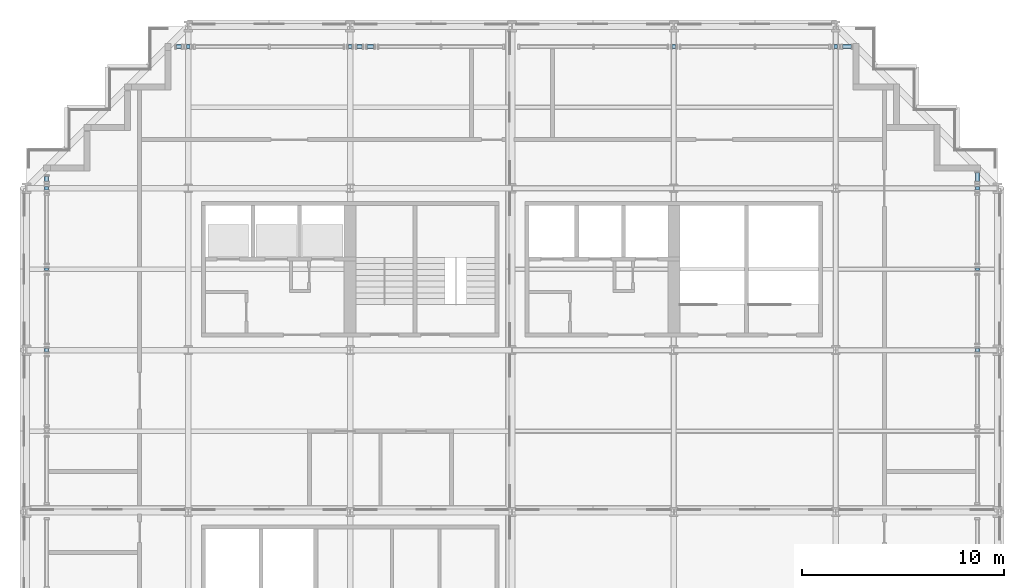
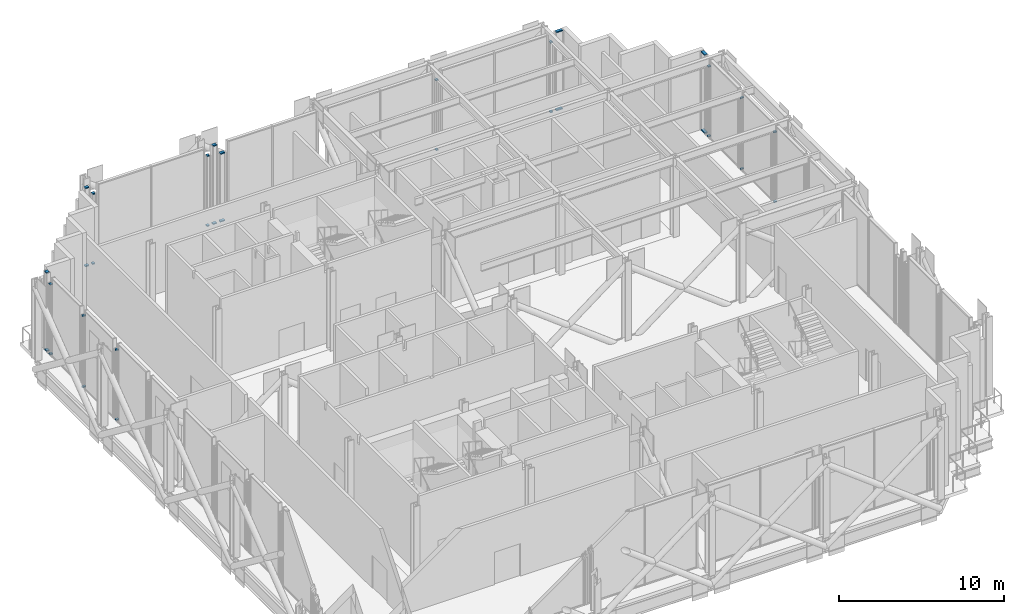
# One storey, part 10 of 25: 32 members, 16 elements without a shape of their own.
"""IFC4 building model written with IfcOpenShell, lengths in metres."""

import ifcopenshell
import ifcopenshell.guid

model = None  # the IFC model being written
_history = None  # IfcOwnerHistory: only IFC2X3 demands one
_inside = {}  # id of a spatial element -> (the spatial element, [elements in it])
_under = {}  # id of a project, library or spatial element -> (it, [spatial elements below it])
_declared = {}  # id of a project -> (the project, [libraries it declares])
_typed = {}  # id of a type object -> (the type object, [elements of that type])
_made_of = {}  # id of a material, layer set ... -> (it, [elements and type objects made of it])


def new_model(schema):
    """Start an empty IFC model of exactly this schema.

    Asked for "IFC4X3", IfcOpenShell would pick the latest addendum, in which some entities
    have other attributes; the version numbers below select the first issue.
    IFC2X3 requires an IfcOwnerHistory on every rooted entity: one is made here for all.
    """
    global model, _history
    if schema == "IFC4X3":
        model = ifcopenshell.file(schema_version=(4, 3, 0, 0))
    else:
        model = ifcopenshell.file(schema=schema)
    _inside.clear()
    _under.clear()
    _declared.clear()
    _typed.clear()
    _made_of.clear()
    _history = None
    if model.schema == "IFC2X3":
        org = make("IfcOrganization", Name="unknown")
        user = make(
            "IfcPersonAndOrganization",
            ThePerson=make("IfcPerson", FamilyName="unknown"),
            TheOrganization=org,
        )
        app = make(
            "IfcApplication",
            ApplicationDeveloper=org,
            Version="unknown",
            ApplicationFullName="unknown",
            ApplicationIdentifier="unknown",
        )
        _history = make(
            "IfcOwnerHistory",
            OwningUser=user,
            OwningApplication=app,
            ChangeAction="ADDED",
            CreationDate=0,
        )
    return model


def make(cls, **values):
    """One entity of the class cls with the attributes given. An attribute that is None is left unset."""
    return model.create_entity(
        cls, **{name: value for name, value in values.items() if value is not None}
    )


def rooted(cls, **values):
    """An entity with a GlobalId (a new one), such as an element, a storey or a relation."""
    return make(cls, GlobalId=ifcopenshell.guid.new(), OwnerHistory=_history, **values)


def si_unit(unit_type, name, prefix=None):
    """IfcSIUnit, for example si_unit("LENGTHUNIT", "METRE", prefix="MILLI")."""
    return make("IfcSIUnit", UnitType=unit_type, Prefix=prefix, Name=name)


def assignment(units):
    """IfcUnitAssignment: the units of a project."""
    return None if units is None else make("IfcUnitAssignment", Units=units)


def point(xyz):
    """IfcCartesianPoint."""
    return None if xyz is None else make("IfcCartesianPoint", Coordinates=xyz)


def direction(xyz):
    """IfcDirection."""
    return None if xyz is None else make("IfcDirection", DirectionRatios=xyz)


def frame(location, z_axis=None, x_axis=None):
    """IfcAxis2Placement3D, a coordinate frame: its origin and axes. An axis left out is left unset."""
    return make(
        "IfcAxis2Placement3D",
        Location=point(location),
        Axis=direction(z_axis),
        RefDirection=direction(x_axis),
    )


def frame_2d(location, x_axis=None):
    """IfcAxis2Placement2D, a coordinate frame in the plane: its origin and x axis."""
    return make(
        "IfcAxis2Placement2D", Location=point(location), RefDirection=direction(x_axis)
    )


def origin():
    """The frame at (0, 0, 0) with its axes left unset."""
    return frame((0.0, 0.0, 0.0))


def origin_2d():
    """The frame at (0, 0) in the plane with its x axis left unset."""
    return frame_2d((0.0, 0.0))


def place(relative_to, where):
    """IfcLocalPlacement: puts the frame where relative to a parent placement (None: the world)."""
    return make(
        "IfcLocalPlacement", PlacementRelTo=relative_to, RelativePlacement=where
    )


def context(
    kind, dimensions, precision=None, world=None, true_north=None, identifier=None
):
    """IfcGeometricRepresentationContext, for example the 3D "Model" context."""
    return make(
        "IfcGeometricRepresentationContext",
        ContextIdentifier=identifier,
        ContextType=kind,
        CoordinateSpaceDimension=dimensions,
        Precision=precision,
        WorldCoordinateSystem=world,
        TrueNorth=true_north,
    )


def subcontext(parent, identifier, kind, view, scale=None):
    """IfcGeometricRepresentationSubContext, for example "Body" below "Model"."""
    return make(
        "IfcGeometricRepresentationSubContext",
        ContextIdentifier=identifier,
        ContextType=kind,
        ParentContext=parent,
        TargetScale=scale,
        TargetView=view,
    )


def project(units=None, contexts=None):
    """IfcProject with its units and contexts."""
    return rooted(
        "IfcProject",
        Name="project",
        RepresentationContexts=contexts,
        UnitsInContext=assignment(units),
    )


def spatial(cls, under=None, at=None, **own):
    """A site, building, storey or space (cls), placed at a placement, below another one or the project."""
    s = rooted(cls, ObjectPlacement=at, **own)
    if under is not None:
        _under.setdefault(under.id(), (under, []))[1].append(s)
    return s


def profile(cls, at=None, kind="AREA", **sizes):
    """A parametric profile (cls). Its sizes go by their IFC names, for example OverallWidth=200.0."""
    return make(cls, ProfileType=kind, Position=at, **sizes)


def rectangle(**sizes):
    """IfcRectangleProfileDef."""
    return profile("IfcRectangleProfileDef", **sizes)


def extrude(swept, where, along, depth):
    """IfcExtrudedAreaSolid: the profile swept, set in the frame where, extruded along a direction by depth."""
    return make(
        "IfcExtrudedAreaSolid",
        SweptArea=swept,
        Position=where,
        ExtrudedDirection=direction(along),
        Depth=depth,
    )


def shape(context_of_items, identifier, shape_type, items):
    """IfcShapeRepresentation: the items that make up one representation, for example the "Body"."""
    return make(
        "IfcShapeRepresentation",
        ContextOfItems=context_of_items,
        RepresentationIdentifier=identifier,
        RepresentationType=shape_type,
        Items=items,
    )


def material(Name=None, Category=None):
    """IfcMaterial."""
    return make("IfcMaterial", Name=Name, Category=Category)


def material_profile(
    of_material, cross_section, Name=None, Category=None, Priority=None
):
    """IfcMaterialProfile: a cross section and its material."""
    return make(
        "IfcMaterialProfile",
        Name=Name,
        Material=of_material,
        Profile=cross_section,
        Priority=Priority,
        Category=Category,
    )


def profile_set(profiles, Name=None, composite=None):
    """IfcMaterialProfileSet."""
    return make(
        "IfcMaterialProfileSet",
        Name=Name,
        MaterialProfiles=profiles,
        CompositeProfile=composite,
    )


def made_of(thing, what):
    """Note that an element or type object is made of a material, layer set ...; save() writes the relation."""
    if what is not None:
        _made_of.setdefault(what.id(), (what, []))[1].append(thing)
    return thing


def type_object(cls, material=None, **own):
    """A type object (cls), such as IfcWallType, which elements share."""
    return made_of(rooted(cls, **own), material)


def element(
    cls,
    number,
    at=None,
    inside=None,
    cuts=None,
    type_object=None,
    material=None,
    context=None,
    identifier="Body",
    shape_type=None,
    held_by="IfcProductDefinitionShape",
    body=None,
    shapes=None,
    **own,
):
    """One element of the class cls, such as IfcWall. Its Tag is "e" and its number.

    at: its placement. inside: the storey or other place that contains it. cuts: it is an
    opening in that element (IfcRelVoidsElement). A single representation is given by context,
    identifier, shape_type and body (its items); several are given by shapes. held_by: the class
    of the entity that holds the representations. save() writes the other relations.
    """
    e = rooted(cls, Tag="e%d" % number, ObjectPlacement=at, **own)
    if body is not None:
        shapes = [shape(context, identifier, shape_type, body)]
    if shapes is not None:
        e.Representation = make(held_by, Representations=shapes)
    if inside is not None:
        _inside.setdefault(inside.id(), (inside, []))[1].append(e)
    if cuts is not None:
        rooted(
            "IfcRelVoidsElement", RelatingBuildingElement=cuts, RelatedOpeningElement=e
        )
    if type_object is not None:
        _typed.setdefault(type_object.id(), (type_object, []))[1].append(e)
    return made_of(e, material)


def aggregate(whole, parts):
    """IfcRelAggregates: a whole, such as a stair, and the parts it consists of."""
    return rooted("IfcRelAggregates", RelatingObject=whole, RelatedObjects=parts)


def save(model, path):
    """Write the relations noted so far, then the file.

    IfcRelAggregates (storeys below a building ...), IfcRelContainedInSpatialStructure (elements
    in a storey), IfcRelDefinesByType, IfcRelAssociatesMaterial and IfcRelDeclares: one each for
    every whole, place, type object, material and project.
    """
    for whole, parts in _under.values():
        aggregate(whole, parts)
    for where, things in _inside.values():
        rooted(
            "IfcRelContainedInSpatialStructure",
            RelatedElements=things,
            RelatingStructure=where,
        )
    for kind, things in _typed.values():
        rooted("IfcRelDefinesByType", RelatedObjects=things, RelatingType=kind)
    for what, things in _made_of.values():
        rooted("IfcRelAssociatesMaterial", RelatedObjects=things, RelatingMaterial=what)
    for by, libraries in _declared.values():
        rooted("IfcRelDeclares", RelatingContext=by, RelatedDefinitions=libraries)
    model.write(path)


model = new_model("IFC4")

# Units and contexts
model_context = context("Model", 3, precision=1e-05, world=origin(), true_north=direction((0.0, 1.0)))
body_context = subcontext(model_context, "Body", "Model", "MODEL_VIEW")
ifc_project = project(units=[si_unit("LENGTHUNIT", "METRE"), si_unit("AREAUNIT", "SQUARE_METRE"), si_unit("VOLUMEUNIT", "CUBIC_METRE"), si_unit("PLANEANGLEUNIT", "RADIAN"), si_unit("MASSUNIT", "GRAM", prefix="KILO")], contexts=[model_context])

# Site, building, storey
site_placement = place(None, origin())
site = spatial("IfcSite", under=ifc_project, at=site_placement, CompositionType="ELEMENT")
building_placement = place(site_placement, origin())
building = spatial("IfcBuilding", under=site, at=building_placement, Name="Immortelle Media Tower", CompositionType="ELEMENT")
storey_placement = place(building_placement, frame((0.0, 0.0, 114.0)))
storey = spatial("IfcBuildingStorey", under=building, at=storey_placement, Name="L22", CompositionType="ELEMENT", Elevation=114.0)

# Curtain wall, members
ifc_material_1 = material(Name="Aluminium curtain wall system", Category="aluminium")
curtain_wall_type = type_object("IfcCurtainWallType", Name="Plant louvre wall curtain wall", PredefinedType="NOTDEFINED", material=ifc_material_1)
curtain_wall_1_placement = place(storey_placement, origin())
curtain_wall_1 = element("IfcCurtainWall", 1, at=curtain_wall_1_placement, inside=storey, type_object=curtain_wall_type, Name="Plant louvre wall L22 E 14-14", PredefinedType="NOTDEFINED")
ifc_material_2 = material(Name="Aluminium 6063-T6", Category="aluminium")
ifc_material_profile = material_profile(ifc_material_2, rectangle(XDim=0.199951171875, YDim=0.080078125, at=origin_2d()), Name="AL 80x200")
ifc_profile_set = profile_set([ifc_material_profile], Name="Aluminium 6063-T6")
member_type = type_object("IfcMemberType", Name="Plant louvre wall transom 80 x 200", PredefinedType="USERDEFINED", material=ifc_profile_set)
member_1_placement = place(storey_placement, frame((47.0, 31.91552734375, 0.0400390625), z_axis=(0.0, 1.0, 0.0), x_axis=(-1.0, 0.0, 0.0)))
member_1 = element("IfcMember", 2, at=member_1_placement, type_object=member_type, Name="CW6 transom 1.1", ObjectType="TRANSOM", PredefinedType="USERDEFINED", context=body_context, shape_type="SweptSolid", body=[
    extrude(rectangle(XDim=0.199951171875, YDim=0.080078125, at=origin_2d()), origin(), (0.0, 0.0, 1.0), 0.1689453125),
])
member_2_placement = place(storey_placement, frame((47.0, 31.91552734375, 5.197509765625), z_axis=(0.0, 1.0, 0.0), x_axis=(-1.0, 0.0, 0.0)))
member_2 = element("IfcMember", 3, at=member_2_placement, type_object=member_type, Name="CW6 transom 1.2", ObjectType="TRANSOM", PredefinedType="USERDEFINED", context=body_context, shape_type="SweptSolid", body=[
    extrude(rectangle(XDim=0.199951171875, YDim=0.080078125, at=origin_2d()), origin(), (0.0, 0.0, 1.0), 0.1689453125),
])
aggregate(curtain_wall_1, [member_1, member_2])

curtain_wall_2_placement = place(storey_placement, origin())
curtain_wall_2 = element("IfcCurtainWall", 4, at=curtain_wall_2_placement, inside=storey, type_object=curtain_wall_type, Name="Plant louvre wall L22 E 14-16", PredefinedType="NOTDEFINED")
member_3_placement = place(storey_placement, frame((47.0, 35.947509765625, 0.0400390625), z_axis=(0.0, 1.0, 0.0), x_axis=(-1.0, 0.0, 0.0)))
member_3 = element("IfcMember", 5, at=member_3_placement, type_object=member_type, Name="CW6 transom 1.1", ObjectType="TRANSOM", PredefinedType="USERDEFINED", context=body_context, shape_type="SweptSolid", body=[
    extrude(rectangle(XDim=0.199951171875, YDim=0.080078125, at=origin_2d()), origin(), (0.0, 0.0, 1.0), 0.10498046875),
])
member_4_placement = place(storey_placement, frame((47.0, 35.947509765625, 5.283447265625), z_axis=(0.0, 1.0, 0.0), x_axis=(-1.0, 0.0, 0.0)))
member_4 = element("IfcMember", 6, at=member_4_placement, type_object=member_type, Name="CW6 transom 1.2", ObjectType="TRANSOM", PredefinedType="USERDEFINED", context=body_context, shape_type="SweptSolid", body=[
    extrude(rectangle(XDim=0.199951171875, YDim=0.080078125, at=origin_2d()), origin(), (0.0, 0.0, 1.0), 0.10498046875),
])
aggregate(curtain_wall_2, [member_3, member_4])

curtain_wall_3_placement = place(storey_placement, origin())
curtain_wall_3 = element("IfcCurtainWall", 7, at=curtain_wall_3_placement, inside=storey, type_object=curtain_wall_type, Name="Plant louvre wall L22 E 14-18", PredefinedType="NOTDEFINED")
member_5_placement = place(storey_placement, frame((47.0, 39.91552734375, 0.0400390625), z_axis=(0.0, 1.0, 0.0), x_axis=(-1.0, 0.0, 0.0)))
member_5 = element("IfcMember", 8, at=member_5_placement, type_object=member_type, Name="CW6 transom 1.1", ObjectType="TRANSOM", PredefinedType="USERDEFINED", context=body_context, shape_type="SweptSolid", body=[
    extrude(rectangle(XDim=0.199951171875, YDim=0.080078125, at=origin_2d()), origin(), (0.0, 0.0, 1.0), 0.1689453125),
])
member_6_placement = place(storey_placement, frame((47.0, 39.91552734375, 5.197509765625), z_axis=(0.0, 1.0, 0.0), x_axis=(-1.0, 0.0, 0.0)))
member_6 = element("IfcMember", 9, at=member_6_placement, type_object=member_type, Name="CW6 transom 1.2", ObjectType="TRANSOM", PredefinedType="USERDEFINED", context=body_context, shape_type="SweptSolid", body=[
    extrude(rectangle(XDim=0.199951171875, YDim=0.080078125, at=origin_2d()), origin(), (0.0, 0.0, 1.0), 0.1689453125),
])
aggregate(curtain_wall_3, [member_5, member_6])

curtain_wall_4_placement = place(storey_placement, origin())
curtain_wall_4 = element("IfcCurtainWall", 10, at=curtain_wall_4_placement, inside=storey, type_object=curtain_wall_type, Name="Plant louvre wall L22 E 14-19", PredefinedType="NOTDEFINED")
member_7_placement = place(storey_placement, frame((47.0, 40.33447265625, 0.0400390625), z_axis=(0.0, 1.0, 0.0), x_axis=(-1.0, 0.0, 0.0)))
member_7 = element("IfcMember", 11, at=member_7_placement, type_object=member_type, Name="CW6 transom 1.1", ObjectType="TRANSOM", PredefinedType="USERDEFINED", context=body_context, shape_type="SweptSolid", body=[
    extrude(rectangle(XDim=0.199951171875, YDim=0.080078125, at=origin_2d()), origin(), (0.0, 0.0, 1.0), 0.435546875),
])
member_8_placement = place(storey_placement, frame((47.0, 40.33447265625, 5.8095703125), z_axis=(0.0, 1.0, 0.0), x_axis=(-1.0, 0.0, 0.0)))
member_8 = element("IfcMember", 12, at=member_8_placement, type_object=member_type, Name="CW6 transom 1.2", ObjectType="TRANSOM", PredefinedType="USERDEFINED", context=body_context, shape_type="SweptSolid", body=[
    extrude(rectangle(XDim=0.199951171875, YDim=0.080078125, at=origin_2d()), origin(), (0.0, 0.0, 1.0), 0.435546875),
])
aggregate(curtain_wall_4, [member_7, member_8])

curtain_wall_5_placement = place(storey_placement, origin())
curtain_wall_5 = element("IfcCurtainWall", 13, at=curtain_wall_5_placement, inside=storey, type_object=curtain_wall_type, Name="Plant louvre wall L22 N 21-1", PredefinedType="NOTDEFINED")
member_9_placement = place(storey_placement, frame((40.77001953125, 47.0, 0.0400390625), z_axis=(-1.0, 0.0, 0.0), x_axis=(0.0, -1.0, 0.0)))
member_9 = element("IfcMember", 14, at=member_9_placement, type_object=member_type, Name="CW6 transom 1.1", ObjectType="TRANSOM", PredefinedType="USERDEFINED", context=body_context, shape_type="SweptSolid", body=[
    extrude(rectangle(XDim=0.199951171875, YDim=0.080078125, at=origin_2d()), origin(), (0.0, 0.0, 1.0), 0.435546875),
])
member_10_placement = place(storey_placement, frame((40.77001953125, 47.0, 5.8095703125), z_axis=(-1.0, 0.0, 0.0), x_axis=(0.0, -1.0, 0.0)))
member_10 = element("IfcMember", 15, at=member_10_placement, type_object=member_type, Name="CW6 transom 1.2", ObjectType="TRANSOM", PredefinedType="USERDEFINED", context=body_context, shape_type="SweptSolid", body=[
    extrude(rectangle(XDim=0.199951171875, YDim=0.080078125, at=origin_2d()), origin(), (0.0, 0.0, 1.0), 0.435546875),
])
aggregate(curtain_wall_5, [member_9, member_10])

curtain_wall_6_placement = place(storey_placement, origin())
curtain_wall_6 = element("IfcCurtainWall", 16, at=curtain_wall_6_placement, inside=storey, type_object=curtain_wall_type, Name="Plant louvre wall L22 N 21-2", PredefinedType="NOTDEFINED")
member_11_placement = place(storey_placement, frame((40.08447265625, 47.0, 0.0400390625), z_axis=(-1.0, 0.0, 0.0), x_axis=(0.0, -1.0, 0.0)))
member_11 = element("IfcMember", 17, at=member_11_placement, type_object=member_type, Name="CW6 transom 1.1", ObjectType="TRANSOM", PredefinedType="USERDEFINED", context=body_context, shape_type="SweptSolid", body=[
    extrude(rectangle(XDim=0.199951171875, YDim=0.080078125, at=origin_2d()), origin(), (0.0, 0.0, 1.0), 0.1689453125),
])
member_12_placement = place(storey_placement, frame((40.08447265625, 47.0, 5.197509765625), z_axis=(-1.0, 0.0, 0.0), x_axis=(0.0, -1.0, 0.0)))
member_12 = element("IfcMember", 18, at=member_12_placement, type_object=member_type, Name="CW6 transom 1.2", ObjectType="TRANSOM", PredefinedType="USERDEFINED", context=body_context, shape_type="SweptSolid", body=[
    extrude(rectangle(XDim=0.199951171875, YDim=0.080078125, at=origin_2d()), origin(), (0.0, 0.0, 1.0), 0.1689453125),
])
aggregate(curtain_wall_6, [member_11, member_12])

curtain_wall_7_placement = place(storey_placement, origin())
curtain_wall_7 = element("IfcCurtainWall", 19, at=curtain_wall_7_placement, inside=storey, type_object=curtain_wall_type, Name="Plant louvre wall L22 N 21-4", PredefinedType="NOTDEFINED")
member_13_placement = place(storey_placement, frame((32.08447265625, 47.0, 0.0400390625), z_axis=(-1.0, 0.0, 0.0), x_axis=(0.0, -1.0, 0.0)))
member_13 = element("IfcMember", 20, at=member_13_placement, type_object=member_type, Name="CW6 transom 1.1", ObjectType="TRANSOM", PredefinedType="USERDEFINED", context=body_context, shape_type="SweptSolid", body=[
    extrude(rectangle(XDim=0.199951171875, YDim=0.080078125, at=origin_2d()), origin(), (0.0, 0.0, 1.0), 0.1689453125),
])
member_14_placement = place(storey_placement, frame((32.08447265625, 47.0, 5.197509765625), z_axis=(-1.0, 0.0, 0.0), x_axis=(0.0, -1.0, 0.0)))
member_14 = element("IfcMember", 21, at=member_14_placement, type_object=member_type, Name="CW6 transom 1.2", ObjectType="TRANSOM", PredefinedType="USERDEFINED", context=body_context, shape_type="SweptSolid", body=[
    extrude(rectangle(XDim=0.199951171875, YDim=0.080078125, at=origin_2d()), origin(), (0.0, 0.0, 1.0), 0.1689453125),
])
aggregate(curtain_wall_7, [member_13, member_14])

curtain_wall_8_placement = place(storey_placement, origin())
curtain_wall_8 = element("IfcCurtainWall", 22, at=curtain_wall_8_placement, inside=storey, type_object=curtain_wall_type, Name="Plant louvre wall L22 N 21-7", PredefinedType="NOTDEFINED")
member_15_placement = place(storey_placement, frame((17.15869140625, 47.0, 0.0400390625), z_axis=(-1.0, 0.0, 0.0), x_axis=(0.0, -1.0, 0.0)))
member_15 = element("IfcMember", 23, at=member_15_placement, type_object=member_type, Name="CW6 transom 1.1", ObjectType="TRANSOM", PredefinedType="USERDEFINED", context=body_context, shape_type="SweptSolid", body=[
    extrude(rectangle(XDim=0.199951171875, YDim=0.080078125, at=origin_2d()), origin(), (0.0, 0.0, 1.0), 0.3173828125),
])
member_16_placement = place(storey_placement, frame((17.15869140625, 47.0, 5.047607421875), z_axis=(-1.0, 0.0, 0.0), x_axis=(0.0, -1.0, 0.0)))
member_16 = element("IfcMember", 24, at=member_16_placement, type_object=member_type, Name="CW6 transom 1.2", ObjectType="TRANSOM", PredefinedType="USERDEFINED", context=body_context, shape_type="SweptSolid", body=[
    extrude(rectangle(XDim=0.199951171875, YDim=0.080078125, at=origin_2d()), origin(), (0.0, 0.0, 1.0), 0.3173828125),
])
aggregate(curtain_wall_8, [member_15, member_16])

curtain_wall_9_placement = place(storey_placement, origin())
curtain_wall_9 = element("IfcCurtainWall", 25, at=curtain_wall_9_placement, inside=storey, type_object=curtain_wall_type, Name="Plant louvre wall L22 N 21-8", PredefinedType="NOTDEFINED")
member_17_placement = place(storey_placement, frame((16.59130859375, 47.0, 0.0400390625), z_axis=(-1.0, 0.0, 0.0), x_axis=(0.0, -1.0, 0.0)))
member_17 = element("IfcMember", 26, at=member_17_placement, type_object=member_type, Name="CW6 transom 1.1", ObjectType="TRANSOM", PredefinedType="USERDEFINED", context=body_context, shape_type="SweptSolid", body=[
    extrude(rectangle(XDim=0.199951171875, YDim=0.080078125, at=origin_2d()), origin(), (0.0, 0.0, 1.0), 0.2568359375),
])
member_18_placement = place(storey_placement, frame((16.59130859375, 47.0, 5.8095703125), z_axis=(-1.0, 0.0, 0.0), x_axis=(0.0, -1.0, 0.0)))
member_18 = element("IfcMember", 27, at=member_18_placement, type_object=member_type, Name="CW6 transom 1.2", ObjectType="TRANSOM", PredefinedType="USERDEFINED", context=body_context, shape_type="SweptSolid", body=[
    extrude(rectangle(XDim=0.199951171875, YDim=0.080078125, at=origin_2d()), origin(), (0.0, 0.0, 1.0), 0.2568359375),
])
aggregate(curtain_wall_9, [member_17, member_18])

curtain_wall_10_placement = place(storey_placement, origin())
curtain_wall_10 = element("IfcCurtainWall", 28, at=curtain_wall_10_placement, inside=storey, type_object=curtain_wall_type, Name="Plant louvre wall L22 N 21-9", PredefinedType="NOTDEFINED")
member_19_placement = place(storey_placement, frame((16.08447265625, 47.0, 0.0400390625), z_axis=(-1.0, 0.0, 0.0), x_axis=(0.0, -1.0, 0.0)))
member_19 = element("IfcMember", 29, at=member_19_placement, type_object=member_type, Name="CW6 transom 1.1", ObjectType="TRANSOM", PredefinedType="USERDEFINED", context=body_context, shape_type="SweptSolid", body=[
    extrude(rectangle(XDim=0.199951171875, YDim=0.080078125, at=origin_2d()), origin(), (0.0, 0.0, 1.0), 0.1689453125),
])
member_20_placement = place(storey_placement, frame((16.08447265625, 47.0, 5.197509765625), z_axis=(-1.0, 0.0, 0.0), x_axis=(0.0, -1.0, 0.0)))
member_20 = element("IfcMember", 30, at=member_20_placement, type_object=member_type, Name="CW6 transom 1.2", ObjectType="TRANSOM", PredefinedType="USERDEFINED", context=body_context, shape_type="SweptSolid", body=[
    extrude(rectangle(XDim=0.199951171875, YDim=0.080078125, at=origin_2d()), origin(), (0.0, 0.0, 1.0), 0.1689453125),
])
aggregate(curtain_wall_10, [member_19, member_20])

curtain_wall_11_placement = place(storey_placement, origin())
curtain_wall_11 = element("IfcCurtainWall", 31, at=curtain_wall_11_placement, inside=storey, type_object=curtain_wall_type, Name="Plant louvre wall L22 N 21-11", PredefinedType="NOTDEFINED")
member_21_placement = place(storey_placement, frame((8.08447265625, 47.0, 0.0400390625), z_axis=(-1.0, 0.0, 0.0), x_axis=(0.0, -1.0, 0.0)))
member_21 = element("IfcMember", 32, at=member_21_placement, type_object=member_type, Name="CW6 transom 1.1", ObjectType="TRANSOM", PredefinedType="USERDEFINED", context=body_context, shape_type="SweptSolid", body=[
    extrude(rectangle(XDim=0.199951171875, YDim=0.080078125, at=origin_2d()), origin(), (0.0, 0.0, 1.0), 0.1689453125),
])
member_22_placement = place(storey_placement, frame((8.08447265625, 47.0, 5.197509765625), z_axis=(-1.0, 0.0, 0.0), x_axis=(0.0, -1.0, 0.0)))
member_22 = element("IfcMember", 33, at=member_22_placement, type_object=member_type, Name="CW6 transom 1.2", ObjectType="TRANSOM", PredefinedType="USERDEFINED", context=body_context, shape_type="SweptSolid", body=[
    extrude(rectangle(XDim=0.199951171875, YDim=0.080078125, at=origin_2d()), origin(), (0.0, 0.0, 1.0), 0.1689453125),
])
aggregate(curtain_wall_11, [member_21, member_22])

curtain_wall_12_placement = place(storey_placement, origin())
curtain_wall_12 = element("IfcCurtainWall", 34, at=curtain_wall_12_placement, inside=storey, type_object=curtain_wall_type, Name="Plant louvre wall L22 N 21-12", PredefinedType="NOTDEFINED")
member_23_placement = place(storey_placement, frame((7.66552734375, 47.0, 0.0400390625), z_axis=(-1.0, 0.0, 0.0), x_axis=(0.0, -1.0, 0.0)))
member_23 = element("IfcMember", 35, at=member_23_placement, type_object=member_type, Name="CW6 transom 1.1", ObjectType="TRANSOM", PredefinedType="USERDEFINED", context=body_context, shape_type="SweptSolid", body=[
    extrude(rectangle(XDim=0.199951171875, YDim=0.080078125, at=origin_2d()), origin(), (0.0, 0.0, 1.0), 0.2568359375),
])
member_24_placement = place(storey_placement, frame((7.66552734375, 47.0, 5.8095703125), z_axis=(-1.0, 0.0, 0.0), x_axis=(0.0, -1.0, 0.0)))
member_24 = element("IfcMember", 36, at=member_24_placement, type_object=member_type, Name="CW6 transom 1.2", ObjectType="TRANSOM", PredefinedType="USERDEFINED", context=body_context, shape_type="SweptSolid", body=[
    extrude(rectangle(XDim=0.199951171875, YDim=0.080078125, at=origin_2d()), origin(), (0.0, 0.0, 1.0), 0.2568359375),
])
aggregate(curtain_wall_12, [member_23, member_24])

curtain_wall_13_placement = place(storey_placement, origin())
curtain_wall_13 = element("IfcCurtainWall", 37, at=curtain_wall_13_placement, inside=storey, type_object=curtain_wall_type, Name="Plant louvre wall L22 W 28-2", PredefinedType="NOTDEFINED")
member_25_placement = place(storey_placement, frame((1.0, 40.59130859375, 0.0400390625), z_axis=(0.0, -1.0, 0.0), x_axis=(1.0, 0.0, 0.0)))
member_25 = element("IfcMember", 38, at=member_25_placement, type_object=member_type, Name="CW6 transom 1.1", ObjectType="TRANSOM", PredefinedType="USERDEFINED", context=body_context, shape_type="SweptSolid", body=[
    extrude(rectangle(XDim=0.199951171875, YDim=0.080078125, at=origin_2d()), origin(), (0.0, 0.0, 1.0), 0.2568359375),
])
member_26_placement = place(storey_placement, frame((1.0, 40.59130859375, 5.8095703125), z_axis=(0.0, -1.0, 0.0), x_axis=(1.0, 0.0, 0.0)))
member_26 = element("IfcMember", 39, at=member_26_placement, type_object=member_type, Name="CW6 transom 1.2", ObjectType="TRANSOM", PredefinedType="USERDEFINED", context=body_context, shape_type="SweptSolid", body=[
    extrude(rectangle(XDim=0.199951171875, YDim=0.080078125, at=origin_2d()), origin(), (0.0, 0.0, 1.0), 0.2568359375),
])
aggregate(curtain_wall_13, [member_25, member_26])

curtain_wall_14_placement = place(storey_placement, origin())
curtain_wall_14 = element("IfcCurtainWall", 40, at=curtain_wall_14_placement, inside=storey, type_object=curtain_wall_type, Name="Plant louvre wall L22 W 28-3", PredefinedType="NOTDEFINED")
member_27_placement = place(storey_placement, frame((1.0, 40.08447265625, 0.0400390625), z_axis=(0.0, -1.0, 0.0), x_axis=(1.0, 0.0, 0.0)))
member_27 = element("IfcMember", 41, at=member_27_placement, type_object=member_type, Name="CW6 transom 1.1", ObjectType="TRANSOM", PredefinedType="USERDEFINED", context=body_context, shape_type="SweptSolid", body=[
    extrude(rectangle(XDim=0.199951171875, YDim=0.080078125, at=origin_2d()), origin(), (0.0, 0.0, 1.0), 0.1689453125),
])
member_28_placement = place(storey_placement, frame((1.0, 40.08447265625, 5.197509765625), z_axis=(0.0, -1.0, 0.0), x_axis=(1.0, 0.0, 0.0)))
member_28 = element("IfcMember", 42, at=member_28_placement, type_object=member_type, Name="CW6 transom 1.2", ObjectType="TRANSOM", PredefinedType="USERDEFINED", context=body_context, shape_type="SweptSolid", body=[
    extrude(rectangle(XDim=0.199951171875, YDim=0.080078125, at=origin_2d()), origin(), (0.0, 0.0, 1.0), 0.1689453125),
])
aggregate(curtain_wall_14, [member_27, member_28])

curtain_wall_15_placement = place(storey_placement, origin())
curtain_wall_15 = element("IfcCurtainWall", 43, at=curtain_wall_15_placement, inside=storey, type_object=curtain_wall_type, Name="Plant louvre wall L22 W 28-5", PredefinedType="NOTDEFINED")
member_29_placement = place(storey_placement, frame((1.0, 36.052490234375, 0.0400390625), z_axis=(0.0, -1.0, 0.0), x_axis=(1.0, 0.0, 0.0)))
member_29 = element("IfcMember", 44, at=member_29_placement, type_object=member_type, Name="CW6 transom 1.1", ObjectType="TRANSOM", PredefinedType="USERDEFINED", context=body_context, shape_type="SweptSolid", body=[
    extrude(rectangle(XDim=0.199951171875, YDim=0.080078125, at=origin_2d()), origin(), (0.0, 0.0, 1.0), 0.10498046875),
])
member_30_placement = place(storey_placement, frame((1.0, 36.052490234375, 5.283447265625), z_axis=(0.0, -1.0, 0.0), x_axis=(1.0, 0.0, 0.0)))
member_30 = element("IfcMember", 45, at=member_30_placement, type_object=member_type, Name="CW6 transom 1.2", ObjectType="TRANSOM", PredefinedType="USERDEFINED", context=body_context, shape_type="SweptSolid", body=[
    extrude(rectangle(XDim=0.199951171875, YDim=0.080078125, at=origin_2d()), origin(), (0.0, 0.0, 1.0), 0.10498046875),
])
aggregate(curtain_wall_15, [member_29, member_30])

curtain_wall_16_placement = place(storey_placement, origin())
curtain_wall_16 = element("IfcCurtainWall", 46, at=curtain_wall_16_placement, inside=storey, type_object=curtain_wall_type, Name="Plant louvre wall L22 W 28-7", PredefinedType="NOTDEFINED")
member_31_placement = place(storey_placement, frame((1.0, 32.08447265625, 0.0400390625), z_axis=(0.0, -1.0, 0.0), x_axis=(1.0, 0.0, 0.0)))
member_31 = element("IfcMember", 47, at=member_31_placement, type_object=member_type, Name="CW6 transom 1.1", ObjectType="TRANSOM", PredefinedType="USERDEFINED", context=body_context, shape_type="SweptSolid", body=[
    extrude(rectangle(XDim=0.199951171875, YDim=0.080078125, at=origin_2d()), origin(), (0.0, 0.0, 1.0), 0.1689453125),
])
member_32_placement = place(storey_placement, frame((1.0, 32.08447265625, 5.197509765625), z_axis=(0.0, -1.0, 0.0), x_axis=(1.0, 0.0, 0.0)))
member_32 = element("IfcMember", 48, at=member_32_placement, type_object=member_type, Name="CW6 transom 1.2", ObjectType="TRANSOM", PredefinedType="USERDEFINED", context=body_context, shape_type="SweptSolid", body=[
    extrude(rectangle(XDim=0.199951171875, YDim=0.080078125, at=origin_2d()), origin(), (0.0, 0.0, 1.0), 0.1689453125),
])
aggregate(curtain_wall_16, [member_31, member_32])

save(model, "model.ifc")
